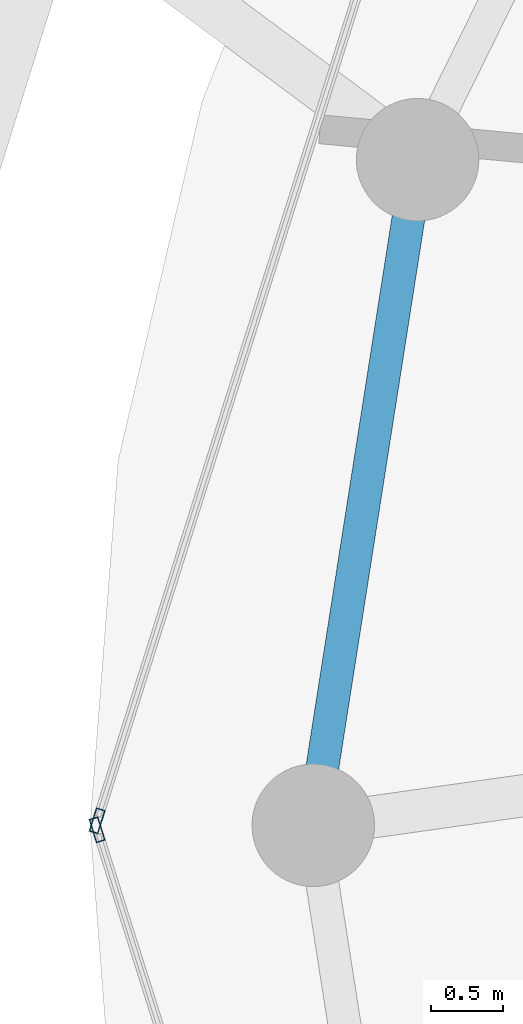
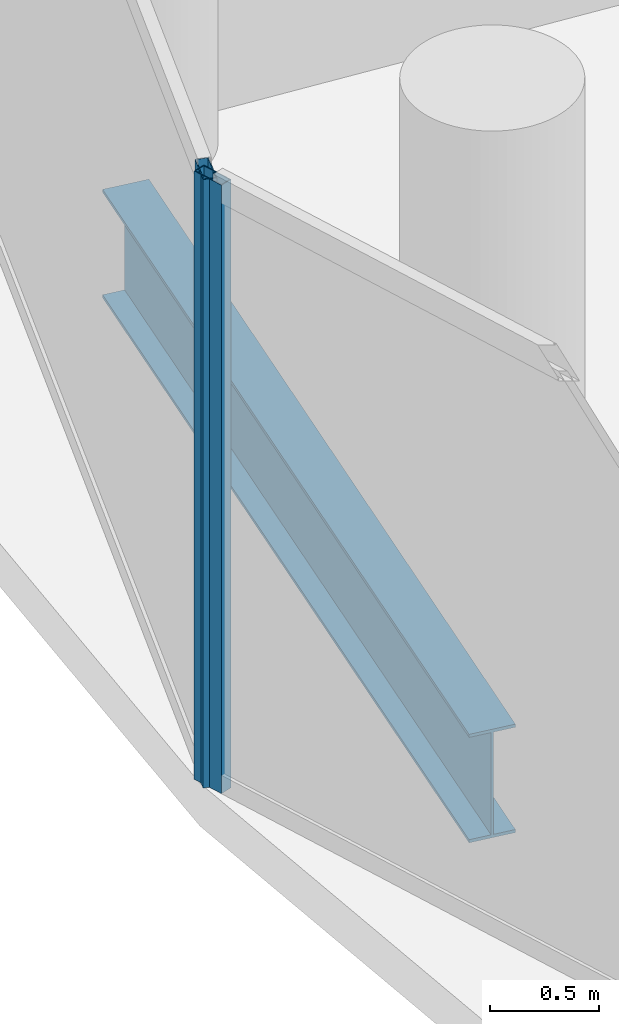
# One storey, part 7 of 27: 2 members, 1 beam, 2 elements without a shape of their own.
"""IFC4 building model written with IfcOpenShell, lengths in metres."""

from ifc_helpers import new_model, si_unit, direction, frame, origin, origin_2d, place, context, subcontext, project, spatial, hollow_rectangle, i_section, extrude, material, layer, layer_set, material_profile, profile_set, type_object, element, aggregate, save


model = new_model("IFC4")

# Units and contexts
model_context = context("Model", 3, precision=1e-05, world=origin(), true_north=direction((0.0, 1.0)))
body_context = subcontext(model_context, "Body", "Model", "MODEL_VIEW")
ifc_project = project(units=[si_unit("LENGTHUNIT", "METRE"), si_unit("AREAUNIT", "SQUARE_METRE"), si_unit("VOLUMEUNIT", "CUBIC_METRE"), si_unit("PLANEANGLEUNIT", "RADIAN"), si_unit("MASSUNIT", "GRAM", prefix="KILO")], contexts=[model_context])

# Site, building, storey
site_placement = place(None, origin())
site = spatial("IfcSite", under=ifc_project, at=site_placement, CompositionType="ELEMENT")
building_placement = place(site_placement, origin())
building = spatial("IfcBuilding", under=site, at=building_placement, Name="Nuhasar Tower", CompositionType="ELEMENT")
storey_placement = place(building_placement, frame((0.0, 0.0, 244.64990234375)))
storey = spatial("IfcBuildingStorey", under=building, at=storey_placement, Name="L60", CompositionType="ELEMENT", Elevation=244.64990234375)

# Beam
ifc_material_1 = material(Name="Steel S355", Category="steel")
ifc_material_profile_1 = material_profile(ifc_material_1, i_section(OverallWidth=0.22802734375, OverallDepth=0.60791015625, WebThickness=0.01123046875, FlangeThickness=0.017333984375, at=origin_2d()), Name="W24X76")
ifc_profile_set_1 = profile_set([ifc_material_profile_1], Name="Steel S355")
beam_type = type_object("IfcBeamType", Name="BM-RING-W24X76", PredefinedType="SPANDREL", material=ifc_profile_set_1)
beam_placement = place(storey_placement, frame((18.47412109375, 31.419921875, -0.5439453125), z_axis=(-0.154849872935, -0.987938012657, 0.0), x_axis=(0.987938012657, -0.154849872935, 0.0)))
element("IfcBeam", 1, at=beam_placement, inside=storey, type_object=beam_type, Name="L60 Perimeter Ring Spandrel 12", PredefinedType="SPANDREL", context=body_context, shape_type="SweptSolid", body=[
    extrude(i_section(OverallWidth=0.22802734375, OverallDepth=0.60791015625, WebThickness=0.01123046875, FlangeThickness=0.017333984375, at=origin_2d()), origin(), (0.0, 0.0, 1.0), 4.67626953125),
])

# Curtain wall, member
ifc_material_2 = material(Name="Aluminium 6063-T6", Category="aluminium")
ifc_layer = layer(ifc_material_2, 0.18994140625)
ifc_layer_set = layer_set([ifc_layer], Name="Aluminium 6063-T6")
curtain_wall_type = type_object("IfcCurtainWallType", Name="CW-Z3-RES", PredefinedType="NOTDEFINED", material=ifc_layer_set)
curtain_wall_1_placement = place(storey_placement, origin())
curtain_wall_1 = element("IfcCurtainWall", 2, at=curtain_wall_1_placement, inside=storey, type_object=curtain_wall_type, Name="L60 Unitised Curtain Wall 06", PredefinedType="NOTDEFINED")
ifc_material_profile_2 = material_profile(ifc_material_2, hollow_rectangle(XDim=0.06494140625, YDim=0.169921875, WallThickness=0.0048828125, at=origin_2d()), Name="CWM-4")
ifc_profile_set_2 = profile_set([ifc_material_profile_2], Name="Aluminium 6063-T6")
member_type = type_object("IfcMemberType", Name="CW-MUL-S4", PredefinedType="MULLION", material=ifc_profile_set_2)
member_1_placement = place(storey_placement, frame((16.249755859375, 26.8310546875, 0.0), z_axis=(0.0, 0.0, 1.0), x_axis=(0.95380429279, -0.30042864553, 0.0)))
member_1 = element("IfcMember", 3, at=member_1_placement, type_object=member_type, Name="CW-Z3 mullion 2", PredefinedType="MULLION", context=body_context, shape_type="SweptSolid", body=[
    extrude(hollow_rectangle(XDim=0.06494140625, YDim=0.169921875, WallThickness=0.0048828125, at=origin_2d()), origin(), (0.0, 0.0, 1.0), 3.41015625),
])
aggregate(curtain_wall_1, [member_1])

curtain_wall_2_placement = place(storey_placement, origin())
curtain_wall_2 = element("IfcCurtainWall", 4, at=curtain_wall_2_placement, inside=storey, type_object=curtain_wall_type, Name="L60 Unitised Curtain Wall 07", PredefinedType="NOTDEFINED")
member_2_placement = place(storey_placement, frame((16.249755859375, 26.76904296875, 0.0), z_axis=(0.0, 0.0, 1.0), x_axis=(0.95380429279, 0.30042864553, 0.0)))
member_2 = element("IfcMember", 5, at=member_2_placement, type_object=member_type, Name="CW-Z3 mullion 1", PredefinedType="MULLION", context=body_context, shape_type="SweptSolid", body=[
    extrude(hollow_rectangle(XDim=0.06494140625, YDim=0.169921875, WallThickness=0.0048828125, at=origin_2d()), origin(), (0.0, 0.0, 1.0), 3.41015625),
])
aggregate(curtain_wall_2, [member_2])

save(model, "model.ifc")
